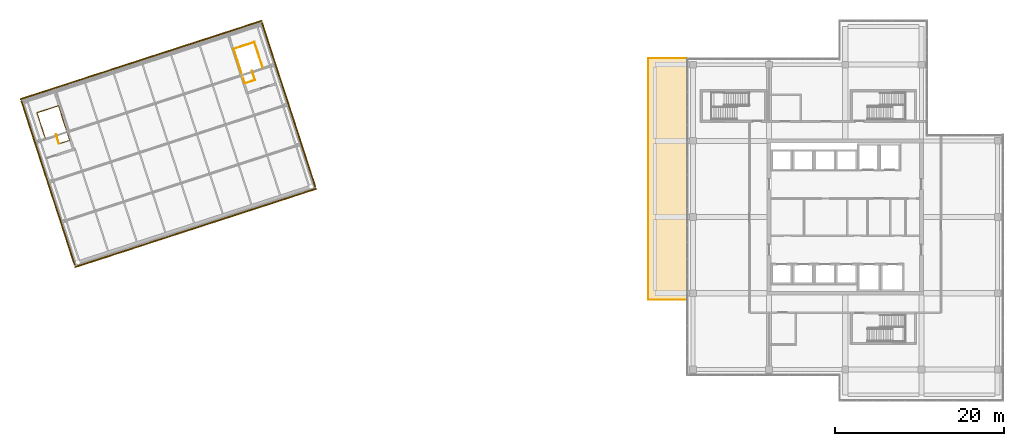
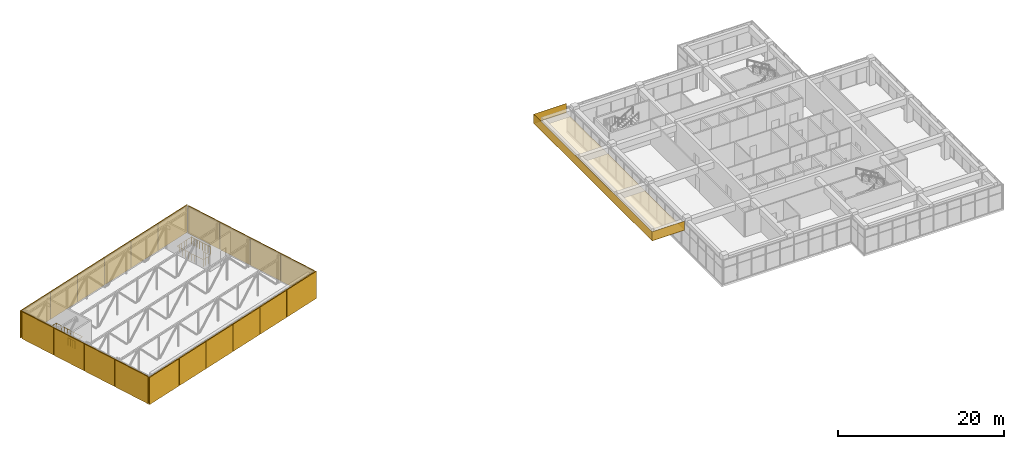
# One storey, part 50 of 52: 22 coverings, 4 railings.
"""IFC4 building model written with IfcOpenShell, lengths in metres."""

from ifc_helpers import new_model, si_unit, direction, frame, origin, origin_2d, place, context, subcontext, project, spatial, polyline, circle, outline, extrude, material, layer, layer_set, type_object, element, save


model = new_model("IFC4")

# Units and contexts
model_context = context("Model", 3, precision=1e-05, world=origin(), true_north=direction((0.0, 1.0)))
body_context = subcontext(model_context, "Body", "Model", "MODEL_VIEW")
ifc_project = project(units=[si_unit("LENGTHUNIT", "METRE"), si_unit("AREAUNIT", "SQUARE_METRE"), si_unit("VOLUMEUNIT", "CUBIC_METRE"), si_unit("PLANEANGLEUNIT", "RADIAN"), si_unit("MASSUNIT", "GRAM", prefix="KILO")], contexts=[model_context])

# Site, building, storey
site_placement = place(None, origin())
site = spatial("IfcSite", under=ifc_project, at=site_placement, CompositionType="ELEMENT")
building_placement = place(site_placement, origin())
building = spatial("IfcBuilding", under=site, at=building_placement, Name="Tuart Plaza Theatre", CompositionType="ELEMENT")
storey_placement = place(building_placement, frame((0.0, 0.0, 25.5)))
storey = spatial("IfcBuildingStorey", under=building, at=storey_placement, Name="L06", CompositionType="ELEMENT", Elevation=25.5)

# Coverings
ifc_material_1 = material(Name="Zinc")
ifc_layer_1 = layer(ifc_material_1, 0.02490234375)
ifc_layer_set_1 = layer_set([ifc_layer_1], Name="COVERING-ZINC-FASCIA25")
covering_type_1 = type_object("IfcCoveringType", Name="COVERING-ZINC-FASCIA25", PredefinedType="CLADDING", material=ifc_layer_set_1)
covering_1_placement = place(storey_placement, frame((0.0, 0.0, 2.655029296875)))
element("IfcCovering", 1, at=covering_1_placement, inside=storey, type_object=covering_type_1, Name="CL91", PredefinedType="CLADDING", context=body_context, shape_type="SweptSolid", body=[
    extrude(outline(polyline([(113.27490234375, 92.750244140625), (113.25, 92.750244140625), (113.25, 92.750244140625), (113.25, 92.750244140625), (113.25, 92.750244140625), (113.25, 92.75), (113.249755859375, 92.75), (113.249755859375, 92.75), (113.249755859375, 92.75), (113.249755859375, 92.75), (108.75, 92.75), (108.75, 64.25), (113.249755859375, 64.25), (113.249755859375, 64.22509765625), (108.72509765625, 64.22509765625), (108.72509765625, 92.77490234375), (113.27490234375, 92.77490234375), (113.27490234375, 92.750244140625)])), origin(), (0.0, 0.0, 1.0), 1.344970703125),
])
ifc_material_2 = material(Name="Zinc")
ifc_layer_2 = layer(ifc_material_2, 0.14990234375)
ifc_layer_set_2 = layer_set([ifc_layer_2], Name="COVERING-ZINC-RAINSCREEN150")
covering_type_2 = type_object("IfcCoveringType", Name="COVERING-ZINC-RAINSCREEN150", PredefinedType="CLADDING", material=ifc_layer_set_2)
covering_2_placement = place(storey_placement, origin())
element("IfcCovering", 2, at=covering_2_placement, inside=storey, type_object=covering_type_2, Name="CL50", PredefinedType="CLADDING", context=body_context, shape_type="SweptSolid", body=[
    extrude(outline(polyline([(40.91943359375, 68.2802734375), (39.269287109375, 73.35888671875), (39.412109375, 73.4052734375), (41.062255859375, 68.32666015625), (40.91943359375, 68.2802734375)])), origin(), (0.0, 0.0, 1.0), 4.0),
])
covering_3_placement = place(storey_placement, origin())
element("IfcCovering", 3, at=covering_3_placement, inside=storey, type_object=covering_type_2, Name="CL51", PredefinedType="CLADDING", context=body_context, shape_type="SweptSolid", body=[
    extrude(outline(polyline([(39.26318359375, 73.3779296875), (37.73974609375, 78.066650390625), (37.88232421875, 78.113037109375), (39.406005859375, 73.42431640625), (39.26318359375, 73.3779296875)])), origin(), (0.0, 0.0, 1.0), 4.0),
])
covering_4_placement = place(storey_placement, origin())
element("IfcCovering", 4, at=covering_4_placement, inside=storey, type_object=covering_type_2, Name="CL52", PredefinedType="CLADDING", context=body_context, shape_type="SweptSolid", body=[
    extrude(outline(polyline([(37.733642578125, 78.085693359375), (36.210205078125, 82.7744140625), (36.352783203125, 82.82080078125), (37.876220703125, 78.132080078125), (37.733642578125, 78.085693359375)])), origin(), (0.0, 0.0, 1.0), 4.0),
])
covering_5_placement = place(storey_placement, origin())
element("IfcCovering", 5, at=covering_5_placement, inside=storey, type_object=covering_type_2, Name="CL53", PredefinedType="CLADDING", context=body_context, shape_type="SweptSolid", body=[
    extrude(outline(polyline([(36.203857421875, 82.793212890625), (34.60791015625, 87.70556640625), (34.75048828125, 87.751953125), (36.3466796875, 82.839599609375), (36.203857421875, 82.793212890625)])), origin(), (0.0, 0.0, 1.0), 4.0),
])
covering_6_placement = place(storey_placement, origin())
element("IfcCovering", 6, at=covering_6_placement, inside=storey, type_object=covering_type_2, Name="CL54", PredefinedType="CLADDING", context=body_context, shape_type="SweptSolid", body=[
    extrude(outline(polyline([(69.337158203125, 77.513671875), (67.68701171875, 82.59228515625), (67.82958984375, 82.638671875), (69.479736328125, 77.56005859375), (69.337158203125, 77.513671875)])), origin(), (0.0, 0.0, 1.0), 4.0),
])
covering_7_placement = place(storey_placement, origin())
element("IfcCovering", 7, at=covering_7_placement, inside=storey, type_object=covering_type_2, Name="CL55", PredefinedType="CLADDING", context=body_context, shape_type="SweptSolid", body=[
    extrude(outline(polyline([(67.680908203125, 82.611328125), (66.1572265625, 87.300048828125), (66.300048828125, 87.346435546875), (67.823486328125, 82.65771484375), (67.680908203125, 82.611328125)])), origin(), (0.0, 0.0, 1.0), 4.0),
])
covering_8_placement = place(storey_placement, origin())
element("IfcCovering", 8, at=covering_8_placement, inside=storey, type_object=covering_type_2, Name="CL56", PredefinedType="CLADDING", context=body_context, shape_type="SweptSolid", body=[
    extrude(outline(polyline([(66.151123046875, 87.319091796875), (64.627685546875, 92.0078125), (64.770263671875, 92.05419921875), (66.293701171875, 87.365478515625), (66.151123046875, 87.319091796875)])), origin(), (0.0, 0.0, 1.0), 4.0),
])
covering_9_placement = place(storey_placement, origin())
element("IfcCovering", 9, at=covering_9_placement, inside=storey, type_object=covering_type_2, Name="CL57", PredefinedType="CLADDING", context=body_context, shape_type="SweptSolid", body=[
    extrude(outline(polyline([(64.62158203125, 92.02685546875), (63.025390625, 96.93896484375), (63.168212890625, 96.9853515625), (64.76416015625, 92.072998046875), (64.62158203125, 92.02685546875)])), origin(), (0.0, 0.0, 1.0), 4.0),
])
covering_10_placement = place(storey_placement, origin())
element("IfcCovering", 10, at=covering_10_placement, inside=storey, type_object=covering_type_2, Name="CL58", PredefinedType="CLADDING", context=body_context, shape_type="SweptSolid", body=[
    extrude(outline(polyline([(34.518310546875, 87.9814453125), (39.59521484375, 89.631103515625), (39.6416015625, 89.48828125), (34.564697265625, 87.838623046875), (34.518310546875, 87.9814453125)])), origin(), (0.0, 0.0, 1.0), 4.0),
])
covering_11_placement = place(storey_placement, origin())
element("IfcCovering", 11, at=covering_11_placement, inside=storey, type_object=covering_type_2, Name="CL59", PredefinedType="CLADDING", context=body_context, shape_type="SweptSolid", body=[
    extrude(outline(polyline([(39.6142578125, 89.63720703125), (44.192138671875, 91.12451171875), (44.23828125, 90.98193359375), (39.66064453125, 89.494384765625), (39.6142578125, 89.63720703125)])), origin(), (0.0, 0.0, 1.0), 4.0),
])
covering_12_placement = place(storey_placement, origin())
element("IfcCovering", 12, at=covering_12_placement, inside=storey, type_object=covering_type_2, Name="CL60", PredefinedType="CLADDING", context=body_context, shape_type="SweptSolid", body=[
    extrude(outline(polyline([(44.211181640625, 91.130859375), (48.788818359375, 92.6181640625), (48.835205078125, 92.4755859375), (44.25732421875, 90.988037109375), (44.211181640625, 91.130859375)])), origin(), (0.0, 0.0, 1.0), 4.0),
])
covering_13_placement = place(storey_placement, origin())
element("IfcCovering", 13, at=covering_13_placement, inside=storey, type_object=covering_type_2, Name="CL61", PredefinedType="CLADDING", context=body_context, shape_type="SweptSolid", body=[
    extrude(outline(polyline([(48.807861328125, 92.624267578125), (53.385498046875, 94.11181640625), (53.431884765625, 93.968994140625), (48.854248046875, 92.481689453125), (48.807861328125, 92.624267578125)])), origin(), (0.0, 0.0, 1.0), 4.0),
])
covering_14_placement = place(storey_placement, origin())
element("IfcCovering", 14, at=covering_14_placement, inside=storey, type_object=covering_type_2, Name="CL62", PredefinedType="CLADDING", context=body_context, shape_type="SweptSolid", body=[
    extrude(outline(polyline([(53.404541015625, 94.117919921875), (57.982421875, 95.605224609375), (58.02880859375, 95.462646484375), (53.450927734375, 93.975341796875), (53.404541015625, 94.117919921875)])), origin(), (0.0, 0.0, 1.0), 4.0),
])
covering_15_placement = place(storey_placement, origin())
element("IfcCovering", 15, at=covering_15_placement, inside=storey, type_object=covering_type_2, Name="CL63", PredefinedType="CLADDING", context=body_context, shape_type="SweptSolid", body=[
    extrude(outline(polyline([(58.00146484375, 95.611572265625), (63.07861328125, 97.260986328125), (63.124755859375, 97.118408203125), (58.0478515625, 95.46875), (58.00146484375, 95.611572265625)])), origin(), (0.0, 0.0, 1.0), 4.0),
])
covering_16_placement = place(storey_placement, origin())
element("IfcCovering", 16, at=covering_16_placement, inside=storey, type_object=covering_type_2, Name="CL64", PredefinedType="CLADDING", context=body_context, shape_type="SweptSolid", body=[
    extrude(outline(polyline([(40.962890625, 68.147216796875), (46.039794921875, 69.796630859375), (46.086181640625, 69.654052734375), (41.009033203125, 68.00439453125), (40.962890625, 68.147216796875)])), origin(), (0.0, 0.0, 1.0), 4.0),
])
covering_17_placement = place(storey_placement, origin())
element("IfcCovering", 17, at=covering_17_placement, inside=storey, type_object=covering_type_2, Name="CL65", PredefinedType="CLADDING", context=body_context, shape_type="SweptSolid", body=[
    extrude(outline(polyline([(46.058837890625, 69.802978515625), (50.63671875, 71.290283203125), (50.68310546875, 71.147705078125), (46.105224609375, 69.66015625), (46.058837890625, 69.802978515625)])), origin(), (0.0, 0.0, 1.0), 4.0),
])
covering_18_placement = place(storey_placement, origin())
element("IfcCovering", 18, at=covering_18_placement, inside=storey, type_object=covering_type_2, Name="CL66", PredefinedType="CLADDING", context=body_context, shape_type="SweptSolid", body=[
    extrude(outline(polyline([(50.655517578125, 71.29638671875), (55.2333984375, 72.783935546875), (55.27978515625, 72.64111328125), (50.701904296875, 71.15380859375), (50.655517578125, 71.29638671875)])), origin(), (0.0, 0.0, 1.0), 4.0),
])
covering_19_placement = place(storey_placement, origin())
element("IfcCovering", 19, at=covering_19_placement, inside=storey, type_object=covering_type_2, Name="CL67", PredefinedType="CLADDING", context=body_context, shape_type="SweptSolid", body=[
    extrude(outline(polyline([(55.25244140625, 72.7900390625), (59.830078125, 74.277587890625), (59.87646484375, 74.134765625), (55.298828125, 72.6474609375), (55.25244140625, 72.7900390625)])), origin(), (0.0, 0.0, 1.0), 4.0),
])
covering_20_placement = place(storey_placement, origin())
element("IfcCovering", 20, at=covering_20_placement, inside=storey, type_object=covering_type_2, Name="CL68", PredefinedType="CLADDING", context=body_context, shape_type="SweptSolid", body=[
    extrude(outline(polyline([(59.84912109375, 74.28369140625), (64.427001953125, 75.77099609375), (64.473388671875, 75.62841796875), (59.8955078125, 74.14111328125), (59.84912109375, 74.28369140625)])), origin(), (0.0, 0.0, 1.0), 4.0),
])
covering_21_placement = place(storey_placement, origin())
element("IfcCovering", 21, at=covering_21_placement, inside=storey, type_object=covering_type_2, Name="CL69", PredefinedType="CLADDING", context=body_context, shape_type="SweptSolid", body=[
    extrude(outline(polyline([(64.446044921875, 75.777099609375), (69.52294921875, 77.427001953125), (69.5693359375, 77.2841796875), (64.4921875, 75.634521484375), (64.446044921875, 75.777099609375)])), origin(), (0.0, 0.0, 1.0), 4.0),
])
ifc_material_3 = material(Name="Zinc")
ifc_layer_3 = layer(ifc_material_3, 0.02490234375)
ifc_layer_set_3 = layer_set([ifc_layer_3], Name="COVERING-ZINC-SOFFIT25")
covering_type_3 = type_object("IfcCoveringType", Name="COVERING-ZINC-SOFFIT25", PredefinedType="CLADDING", material=ifc_layer_set_3)
covering_22_placement = place(storey_placement, frame((0.0, 0.0, 2.655029296875)))
element("IfcCovering", 22, at=covering_22_placement, inside=storey, type_object=covering_type_3, Name="CL90", PredefinedType="CLADDING", context=body_context, shape_type="SweptSolid", body=[
    extrude(outline(polyline([(108.75, 92.75), (113.25, 92.75), (113.25, 64.25), (108.75, 64.25), (108.75, 92.75)])), origin(), (0.0, 0.0, 1.0), 0.02490234375),
])

# Railings
ifc_material_4 = material(Name="Steel Grade C350L0", Category="steel")
railing_type = type_object("IfcRailingType", Name="RAILING Guard 1100", PredefinedType="GUARDRAIL", material=ifc_material_4)
railing_1_placement = place(storey_placement, frame((39.114013671875, 82.65576171875, 0.0)))
element("IfcRailing", 23, at=railing_1_placement, inside=storey, type_object=railing_type, Name="GR68", PredefinedType="GUARDRAIL", context=body_context, shape_type="SweptSolid", body=[
    extrude(circle(Radius=0.02490234375, at=origin_2d()), frame((0.0, 0.0, 1.0751953125), z_axis=(-0.309181642965, 0.951003002968, 0.0), x_axis=(-0.951003002968, -0.309181642965, 0.0)), (0.0, 0.0, 1.0), 1.1552734375),
    extrude(circle(Radius=0.02001953125, at=origin_2d()), origin(), (0.0, 0.0, 1.0), 1.050048828125),
    extrude(circle(Radius=0.02001953125, at=origin_2d()), frame((-0.119140625, 0.3662109375, 0.0)), (0.0, 0.0, 1.0), 1.050048828125),
    extrude(circle(Radius=0.02001953125, at=origin_2d()), frame((-0.238037109375, 0.732421875, 0.0)), (0.0, 0.0, 1.0), 1.050048828125),
    extrude(circle(Radius=0.02001953125, at=origin_2d()), frame((-0.357177734375, 1.0986328125, 0.0)), (0.0, 0.0, 1.0), 1.050048828125),
])
railing_2_placement = place(storey_placement, frame((37.5380859375, 83.363525390625, 0.0)))
element("IfcRailing", 24, at=railing_2_placement, inside=storey, type_object=railing_type, Name="GR69", PredefinedType="GUARDRAIL", context=body_context, shape_type="SweptSolid", body=[
    extrude(circle(Radius=0.02490234375, at=origin_2d()), frame((0.0, 0.0, 1.0751953125), z_axis=(-0.951351351351, -0.308108108108, 0.0), x_axis=(0.308108108108, -0.951351351351, 0.0)), (0.0, 0.0, 1.0), 0.045166015625),
    extrude(circle(Radius=0.02490234375, at=origin_2d()), frame((-0.04296875, -0.013916015625, 1.0751953125), z_axis=(-0.30901175762, 0.951058217804, 0.0), x_axis=(-0.951058217804, -0.30901175762, 0.0)), (0.0, 0.0, 1.0), 3.119873046875),
    extrude(circle(Radius=0.02490234375, at=origin_2d()), frame((-1.007080078125, 2.953369140625, 1.0751953125), z_axis=(0.951065031201, 0.308990786962, 0.0), x_axis=(-0.308990786962, 0.951065031201, 0.0)), (0.0, 0.0, 1.0), 2.6650390625),
    extrude(circle(Radius=0.02490234375, at=origin_2d()), frame((1.527587890625, 3.77685546875, 1.0751953125), z_axis=(0.309115126356, -0.951024625684, 0.0), x_axis=(0.951024625684, 0.309115126356, 0.0)), (0.0, 0.0, 1.0), 1.330078125),
    extrude(circle(Radius=0.02490234375, at=origin_2d()), frame((1.938720703125, 2.511962890625, 1.0751953125), z_axis=(-0.951860557857, -0.306531366089, 0.0), x_axis=(0.306531366089, -0.951860557857, 0.0)), (0.0, 0.0, 1.0), 0.01513671875),
    extrude(circle(Radius=0.02490234375, at=origin_2d()), frame((1.92431640625, 2.50732421875, 1.0751953125), z_axis=(0.309018704887, -0.951055960514, 0.0), x_axis=(0.951055960514, 0.309018704887, 0.0)), (0.0, 0.0, 1.0), 2.949951171875),
    extrude(circle(Radius=0.02490234375, at=origin_2d()), frame((2.8359375, -0.29833984375, 1.0751953125), z_axis=(-0.951051671908, -0.309031903466, 0.0), x_axis=(0.309031903466, -0.951051671908, 0.0)), (0.0, 0.0, 1.0), 1.324951171875),
    extrude(circle(Radius=0.02001953125, at=origin_2d()), origin(), (0.0, 0.0, 1.0), 1.050048828125),
    extrude(circle(Radius=0.02001953125, at=origin_2d()), frame((-0.04296875, -0.013916015625, 0.0)), (0.0, 0.0, 1.0), 1.050048828125),
    extrude(circle(Radius=0.02001953125, at=origin_2d()), frame((-0.1806640625, 0.409912109375, 0.0)), (0.0, 0.0, 1.0), 1.050048828125),
    extrude(circle(Radius=0.02001953125, at=origin_2d()), frame((-0.318359375, 0.833984375, 0.0)), (0.0, 0.0, 1.0), 1.050048828125),
    extrude(circle(Radius=0.02001953125, at=origin_2d()), frame((-0.4560546875, 1.2578125, 0.0)), (0.0, 0.0, 1.0), 1.050048828125),
    extrude(circle(Radius=0.02001953125, at=origin_2d()), frame((-0.593994140625, 1.681640625, 0.0)), (0.0, 0.0, 1.0), 1.050048828125),
    extrude(circle(Radius=0.02001953125, at=origin_2d()), frame((-0.731689453125, 2.10546875, 0.0)), (0.0, 0.0, 1.0), 1.050048828125),
    extrude(circle(Radius=0.02001953125, at=origin_2d()), frame((-0.869384765625, 2.529541015625, 0.0)), (0.0, 0.0, 1.0), 1.050048828125),
    extrude(circle(Radius=0.02001953125, at=origin_2d()), frame((-1.007080078125, 2.953369140625, 0.0)), (0.0, 0.0, 1.0), 1.050048828125),
    extrude(circle(Radius=0.02001953125, at=origin_2d()), frame((-0.584716796875, 3.090576171875, 0.0)), (0.0, 0.0, 1.0), 1.050048828125),
    extrude(circle(Radius=0.02001953125, at=origin_2d()), frame((-0.162109375, 3.227783203125, 0.0)), (0.0, 0.0, 1.0), 1.050048828125),
    extrude(circle(Radius=0.02001953125, at=origin_2d()), frame((0.26025390625, 3.365234375, 0.0)), (0.0, 0.0, 1.0), 1.050048828125),
    extrude(circle(Radius=0.02001953125, at=origin_2d()), frame((0.6826171875, 3.50244140625, 0.0)), (0.0, 0.0, 1.0), 1.050048828125),
    extrude(circle(Radius=0.02001953125, at=origin_2d()), frame((1.105224609375, 3.6396484375, 0.0)), (0.0, 0.0, 1.0), 1.050048828125),
    extrude(circle(Radius=0.02001953125, at=origin_2d()), frame((1.527587890625, 3.77685546875, 0.0)), (0.0, 0.0, 1.0), 1.050048828125),
    extrude(circle(Radius=0.02001953125, at=origin_2d()), frame((1.66455078125, 3.355224609375, 0.0)), (0.0, 0.0, 1.0), 1.050048828125),
    extrude(circle(Radius=0.02001953125, at=origin_2d()), frame((1.8017578125, 2.93359375, 0.0)), (0.0, 0.0, 1.0), 1.050048828125),
    extrude(circle(Radius=0.02001953125, at=origin_2d()), frame((1.938720703125, 2.511962890625, 0.0)), (0.0, 0.0, 1.0), 1.050048828125),
    extrude(circle(Radius=0.02001953125, at=origin_2d()), frame((1.92431640625, 2.50732421875, 0.0)), (0.0, 0.0, 1.0), 1.050048828125),
    extrude(circle(Radius=0.02001953125, at=origin_2d()), frame((2.076171875, 2.039794921875, 0.0)), (0.0, 0.0, 1.0), 1.050048828125),
    extrude(circle(Radius=0.02001953125, at=origin_2d()), frame((2.228271484375, 1.572021484375, 0.0)), (0.0, 0.0, 1.0), 1.050048828125),
    extrude(circle(Radius=0.02001953125, at=origin_2d()), frame((2.380126953125, 1.1044921875, 0.0)), (0.0, 0.0, 1.0), 1.050048828125),
    extrude(circle(Radius=0.02001953125, at=origin_2d()), frame((2.531982421875, 0.636962890625, 0.0)), (0.0, 0.0, 1.0), 1.050048828125),
    extrude(circle(Radius=0.02001953125, at=origin_2d()), frame((2.68408203125, 0.169189453125, 0.0)), (0.0, 0.0, 1.0), 1.050048828125),
    extrude(circle(Radius=0.02001953125, at=origin_2d()), frame((2.8359375, -0.29833984375, 0.0)), (0.0, 0.0, 1.0), 1.050048828125),
    extrude(circle(Radius=0.02001953125, at=origin_2d()), frame((2.416015625, -0.434814453125, 0.0)), (0.0, 0.0, 1.0), 1.050048828125),
    extrude(circle(Radius=0.02001953125, at=origin_2d()), frame((1.995849609375, -0.5712890625, 0.0)), (0.0, 0.0, 1.0), 1.050048828125),
    extrude(circle(Radius=0.02001953125, at=origin_2d()), frame((1.575927734375, -0.707763671875, 0.0)), (0.0, 0.0, 1.0), 1.050048828125),
])
railing_3_placement = place(storey_placement, frame((62.21435546875, 94.661865234375, 0.0)))
element("IfcRailing", 25, at=railing_3_placement, inside=storey, type_object=railing_type, Name="GR92", PredefinedType="GUARDRAIL", context=body_context, shape_type="SweptSolid", body=[
    extrude(circle(Radius=0.02490234375, at=origin_2d()), frame((0.0, 0.0, 1.0751953125), z_axis=(0.30901175762, -0.951058217804, 0.0), x_axis=(0.951058217804, 0.30901175762, 0.0)), (0.0, 0.0, 1.0), 3.119873046875),
    extrude(circle(Radius=0.02490234375, at=origin_2d()), frame((0.964111328125, -2.96728515625, 1.0751953125), z_axis=(-0.950834228174, -0.309700291463, 0.0), x_axis=(0.309700291463, -0.950834228174, 0.0)), (0.0, 0.0, 1.0), 0.044921875),
    extrude(circle(Radius=0.02001953125, at=origin_2d()), origin(), (0.0, 0.0, 1.0), 1.050048828125),
    extrude(circle(Radius=0.02001953125, at=origin_2d()), frame((0.1376953125, -0.423828125, 0.0)), (0.0, 0.0, 1.0), 1.050048828125),
    extrude(circle(Radius=0.02001953125, at=origin_2d()), frame((0.275390625, -0.847900390625, 0.0)), (0.0, 0.0, 1.0), 1.050048828125),
    extrude(circle(Radius=0.02001953125, at=origin_2d()), frame((0.4130859375, -1.271728515625, 0.0)), (0.0, 0.0, 1.0), 1.050048828125),
    extrude(circle(Radius=0.02001953125, at=origin_2d()), frame((0.551025390625, -1.695556640625, 0.0)), (0.0, 0.0, 1.0), 1.050048828125),
    extrude(circle(Radius=0.02001953125, at=origin_2d()), frame((0.688720703125, -2.119384765625, 0.0)), (0.0, 0.0, 1.0), 1.050048828125),
    extrude(circle(Radius=0.02001953125, at=origin_2d()), frame((0.826416015625, -2.54345703125, 0.0)), (0.0, 0.0, 1.0), 1.050048828125),
    extrude(circle(Radius=0.02001953125, at=origin_2d()), frame((0.964111328125, -2.96728515625, 0.0)), (0.0, 0.0, 1.0), 1.050048828125),
    extrude(circle(Radius=0.02001953125, at=origin_2d()), frame((0.92138671875, -2.981201171875, 0.0)), (0.0, 0.0, 1.0), 1.050048828125),
])
railing_4_placement = place(storey_placement, frame((61.919921875, 91.280517578125, 0.0)))
element("IfcRailing", 26, at=railing_4_placement, inside=storey, type_object=railing_type, Name="GR93", PredefinedType="GUARDRAIL", context=body_context, shape_type="SweptSolid", body=[
    extrude(circle(Radius=0.02490234375, at=origin_2d()), frame((0.0, 0.0, 1.0751953125), z_axis=(0.308990492345, -0.951065126918, 0.0), x_axis=(0.951065126918, 0.308990492345, 0.0)), (0.0, 0.0, 1.0), 1.1552734375),
    extrude(circle(Radius=0.02490234375, at=origin_2d()), frame((0.35693359375, -1.0986328125, 1.0751953125), z_axis=(-0.95106810125, -0.308981337277, 0.0), x_axis=(0.308981337277, -0.95106810125, 0.0)), (0.0, 0.0, 1.0), 1.26513671875),
    extrude(circle(Radius=0.02490234375, at=origin_2d()), frame((-0.84619140625, -1.489501953125, 1.0751953125), z_axis=(-0.308997073695, 0.951062988686, 0.0), x_axis=(-0.951062988686, -0.308997073695, 0.0)), (0.0, 0.0, 1.0), 4.280029296875),
    extrude(circle(Radius=0.02490234375, at=origin_2d()), frame((-2.168701171875, 2.5810546875, 1.0751953125), z_axis=(0.951059697131, 0.309007204598, 0.0), x_axis=(-0.309007204598, 0.951059697131, 0.0)), (0.0, 0.0, 1.0), 2.58984375),
    extrude(circle(Radius=0.02001953125, at=origin_2d()), origin(), (0.0, 0.0, 1.0), 1.050048828125),
    extrude(circle(Radius=0.02001953125, at=origin_2d()), frame((0.118896484375, -0.3662109375, 0.0)), (0.0, 0.0, 1.0), 1.050048828125),
    extrude(circle(Radius=0.02001953125, at=origin_2d()), frame((0.238037109375, -0.732421875, 0.0)), (0.0, 0.0, 1.0), 1.050048828125),
    extrude(circle(Radius=0.02001953125, at=origin_2d()), frame((0.35693359375, -1.0986328125, 0.0)), (0.0, 0.0, 1.0), 1.050048828125),
    extrude(circle(Radius=0.02001953125, at=origin_2d()), frame((-0.044189453125, -1.22900390625, 0.0)), (0.0, 0.0, 1.0), 1.050048828125),
    extrude(circle(Radius=0.02001953125, at=origin_2d()), frame((-0.445068359375, -1.359130859375, 0.0)), (0.0, 0.0, 1.0), 1.050048828125),
    extrude(circle(Radius=0.02001953125, at=origin_2d()), frame((-0.84619140625, -1.489501953125, 0.0)), (0.0, 0.0, 1.0), 1.050048828125),
    extrude(circle(Radius=0.02001953125, at=origin_2d()), frame((-0.9931640625, -1.037109375, 0.0)), (0.0, 0.0, 1.0), 1.050048828125),
    extrude(circle(Radius=0.02001953125, at=origin_2d()), frame((-1.14013671875, -0.5849609375, 0.0)), (0.0, 0.0, 1.0), 1.050048828125),
    extrude(circle(Radius=0.02001953125, at=origin_2d()), frame((-1.287109375, -0.132568359375, 0.0)), (0.0, 0.0, 1.0), 1.050048828125),
    extrude(circle(Radius=0.02001953125, at=origin_2d()), frame((-1.43408203125, 0.319580078125, 0.0)), (0.0, 0.0, 1.0), 1.050048828125),
    extrude(circle(Radius=0.02001953125, at=origin_2d()), frame((-1.580810546875, 0.77197265625, 0.0)), (0.0, 0.0, 1.0), 1.050048828125),
    extrude(circle(Radius=0.02001953125, at=origin_2d()), frame((-1.727783203125, 1.22412109375, 0.0)), (0.0, 0.0, 1.0), 1.050048828125),
    extrude(circle(Radius=0.02001953125, at=origin_2d()), frame((-1.874755859375, 1.676513671875, 0.0)), (0.0, 0.0, 1.0), 1.050048828125),
    extrude(circle(Radius=0.02001953125, at=origin_2d()), frame((-2.021728515625, 2.128662109375, 0.0)), (0.0, 0.0, 1.0), 1.050048828125),
    extrude(circle(Radius=0.02001953125, at=origin_2d()), frame((-2.168701171875, 2.5810546875, 0.0)), (0.0, 0.0, 1.0), 1.050048828125),
    extrude(circle(Radius=0.02001953125, at=origin_2d()), frame((-1.75830078125, 2.71435546875, 0.0)), (0.0, 0.0, 1.0), 1.050048828125),
    extrude(circle(Radius=0.02001953125, at=origin_2d()), frame((-1.34765625, 2.847900390625, 0.0)), (0.0, 0.0, 1.0), 1.050048828125),
    extrude(circle(Radius=0.02001953125, at=origin_2d()), frame((-0.93701171875, 2.981201171875, 0.0)), (0.0, 0.0, 1.0), 1.050048828125),
    extrude(circle(Radius=0.02001953125, at=origin_2d()), frame((-0.526611328125, 3.114501953125, 0.0)), (0.0, 0.0, 1.0), 1.050048828125),
    extrude(circle(Radius=0.02001953125, at=origin_2d()), frame((-0.1162109375, 3.248046875, 0.0)), (0.0, 0.0, 1.0), 1.050048828125),
    extrude(circle(Radius=0.02001953125, at=origin_2d()), frame((0.29443359375, 3.38134765625, 0.0)), (0.0, 0.0, 1.0), 1.050048828125),
])

save(model, "model.ifc")
